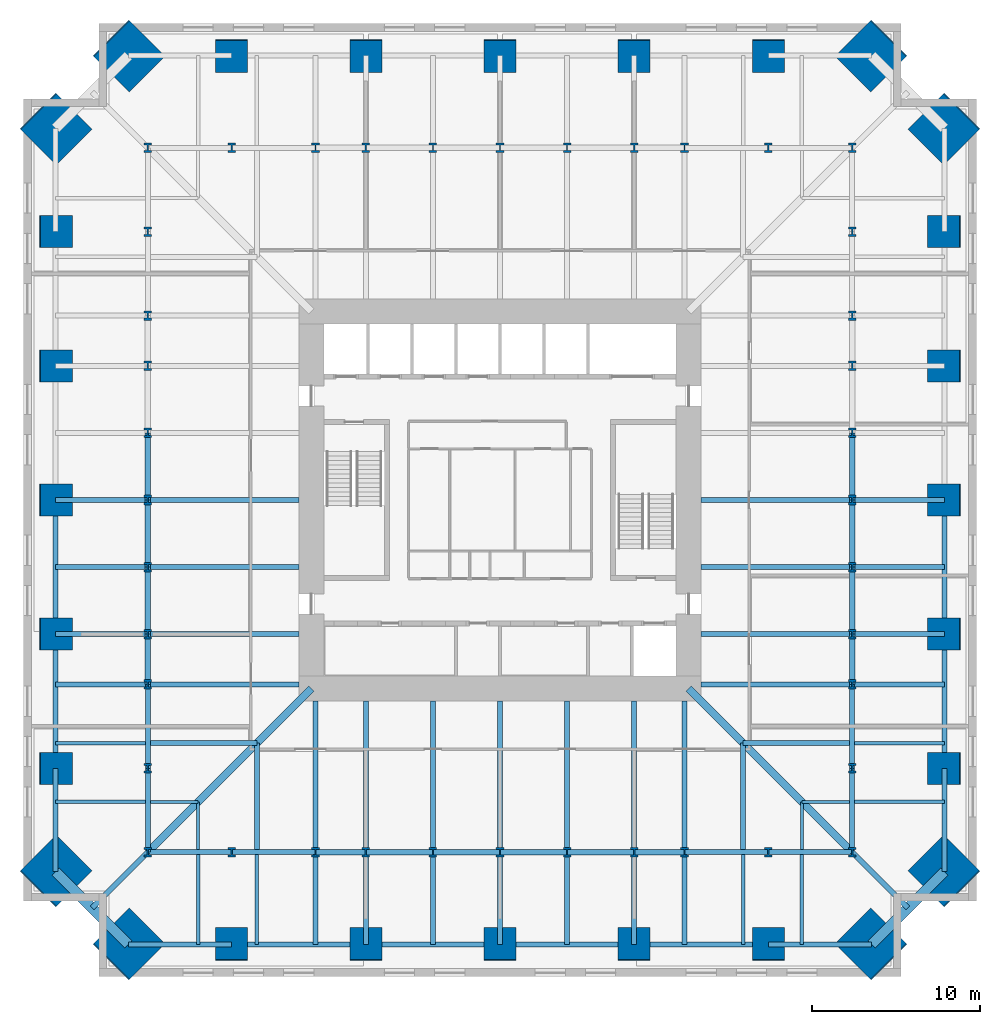
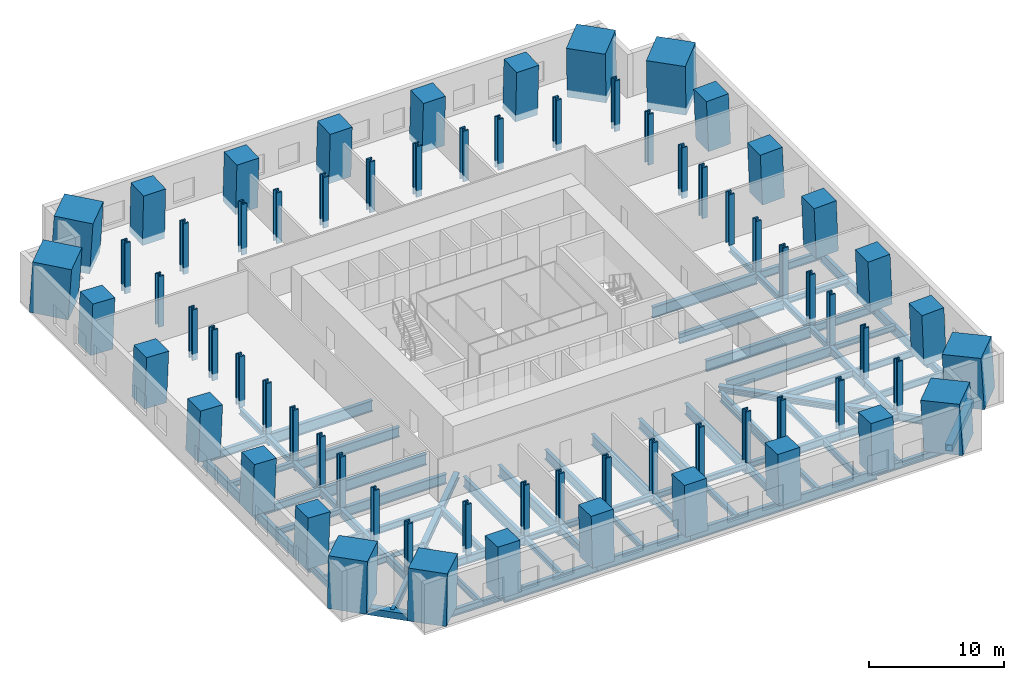
# One storey, part 1 of 8: 86 beams, 68 columns.
"""IFC4 building model written with IfcOpenShell, lengths in metres."""

from ifc_helpers import new_model, si_unit, direction, frame, origin, origin_2d, place, context, subcontext, project, spatial, rectangle, hollow_rectangle, i_section, extrude, material, material_profile, profile_set, type_object, element, save


model = new_model("IFC4")

# Units and contexts
model_context = context("Model", 3, precision=1e-05, world=origin(), true_north=direction((0.0, 1.0)))
body_context = subcontext(model_context, "Body", "Model", "MODEL_VIEW")
ifc_project = project(units=[si_unit("LENGTHUNIT", "METRE"), si_unit("AREAUNIT", "SQUARE_METRE"), si_unit("VOLUMEUNIT", "CUBIC_METRE"), si_unit("PLANEANGLEUNIT", "RADIAN"), si_unit("MASSUNIT", "GRAM", prefix="KILO")], contexts=[model_context])

# Site, building, storey
site_placement = place(None, origin())
site = spatial("IfcSite", under=ifc_project, at=site_placement, CompositionType="ELEMENT")
building_placement = place(site_placement, origin())
building = spatial("IfcBuilding", under=site, at=building_placement, Name="Peilmerk Tower", CompositionType="ELEMENT")
storey_placement = place(building_placement, frame((0.0, 0.0, 109.0)))
storey = spatial("IfcBuildingStorey", under=building, at=storey_placement, Name="L21", CompositionType="ELEMENT", Elevation=109.0)

# Columns
ifc_material_1 = material(Name="Concrete C90/105", Category="concrete")
ifc_material_profile_1 = material_profile(ifc_material_1, rectangle(XDim=3.0, YDim=3.0, at=origin_2d()), Name="RC 3000x3000")
ifc_profile_set_1 = profile_set([ifc_material_profile_1], Name="Concrete C90/105")
column_type_1 = type_object("IfcColumnType", Name="MC1 3000x3000 encased mega column", PredefinedType="COLUMN", material=ifc_profile_set_1)
for number, where, z_axis, x_axis, name in (
    (1, (22.151611328125, 26.501708984375, 0.0), (-0.040269957025, -0.040269957025, 0.998377013519), (0.707106781187, -0.707106781187, 0.0), "Mega column MC1 NE_N L21"),
    (2, (26.501708984375, 22.151611328125, 0.0), (-0.040269957025, -0.040269957025, 0.998377013519), (0.707106781187, -0.707106781187, 0.0), "Mega column MC1 NE_E L21"),
    (3, (26.501708984375, -22.151611328125, 0.0), (-0.040269957025, 0.040269957025, 0.998377013519), (-0.707106781187, -0.707106781187, 0.0), "Mega column MC1 SE_E L21"),
    (4, (22.151611328125, -26.501708984375, 0.0), (-0.040269957025, 0.040269957025, 0.998377013519), (-0.707106781187, -0.707106781187, 0.0), "Mega column MC1 SE_S L21"),
    (5, (-22.151611328125, -26.501708984375, 0.0), (0.040269957025, 0.040269957025, 0.998377013519), (-0.707106781187, 0.707106781187, 0.0), "Mega column MC1 SW_S L21"),
    (6, (-26.501708984375, -22.151611328125, 0.0), (0.040269957025, 0.040269957025, 0.998377013519), (-0.707106781187, 0.707106781187, 0.0), "Mega column MC1 SW_W L21"),
    (7, (-26.501708984375, 22.151611328125, 0.0), (0.040269957025, -0.040269957025, 0.998377013519), (0.707106781187, 0.707106781187, 0.0), "Mega column MC1 NW_W L21"),
    (8, (-22.151611328125, 26.501708984375, 0.0), (0.040269957025, -0.040269957025, 0.998377013519), (0.707106781187, 0.707106781187, 0.0), "Mega column MC1 NW_N L21"),
):
    element("IfcColumn", number, at=place(storey_placement, frame(where, z_axis=z_axis, x_axis=x_axis)), inside=storey, type_object=column_type_1, Name=name, PredefinedType="COLUMN", context=body_context, shape_type="SweptSolid", body=[
        extrude(rectangle(XDim=3.0, YDim=3.0, at=origin_2d()), origin(), (0.0, 0.0, 1.0), 4.607666015625),
    ])
ifc_material_profile_2 = material_profile(ifc_material_1, rectangle(XDim=1.89990234375, YDim=1.89990234375, at=origin_2d()), Name="RC 1900x1900")
ifc_profile_set_2 = profile_set([ifc_material_profile_2], Name="Concrete C90/105")
column_type_2 = type_object("IfcColumnType", Name="SC5 1900x1900 encased perimeter column", PredefinedType="COLUMN", material=ifc_profile_set_2)
for number, where, z_axis, x_axis, name in (
    (9, (0.0, 26.501708984375, 0.0), (0.0, -0.040302649072, 0.999187518176), (1.0, 0.0, 0.0), "Perimeter column N+0 L21"),
    (10, (8.0, 26.501708984375, 0.0), (0.0, -0.040302649072, 0.999187518176), (1.0, 0.0, 0.0), "Perimeter column N-8 L21"),
    (11, (-8.0, 26.501708984375, 0.0), (0.0, -0.040302649072, 0.999187518176), (1.0, 0.0, 0.0), "Perimeter column N+8 L21"),
    (12, (16.0, 26.501708984375, 0.0), (0.0, -0.040302649072, 0.999187518176), (1.0, 0.0, 0.0), "Perimeter column N-16 L21"),
    (13, (-16.0, 26.501708984375, 0.0), (0.0, -0.040302649072, 0.999187518176), (1.0, 0.0, 0.0), "Perimeter column N+16 L21"),
    (14, (26.501708984375, 0.0, 0.0), (-0.040302649072, 0.0, 0.999187518176), (0.0, -1.0, 0.0), "Perimeter column E+0 L21"),
    (15, (26.501708984375, -8.0, 0.0), (-0.040302649072, 0.0, 0.999187518176), (0.0, -1.0, 0.0), "Perimeter column E-8 L21"),
    (16, (26.501708984375, 8.0, 0.0), (-0.040302649072, 0.0, 0.999187518176), (0.0, -1.0, 0.0), "Perimeter column E+8 L21"),
    (17, (26.501708984375, -16.0, 0.0), (-0.040302649072, 0.0, 0.999187518176), (0.0, -1.0, 0.0), "Perimeter column E-16 L21"),
    (18, (26.501708984375, 16.0, 0.0), (-0.040302649072, 0.0, 0.999187518176), (0.0, -1.0, 0.0), "Perimeter column E+16 L21"),
    (19, (0.0, -26.501708984375, 0.0), (0.0, 0.040302649072, 0.999187518176), (-1.0, 0.0, 0.0), "Perimeter column S+0 L21"),
    (20, (-8.0, -26.501708984375, 0.0), (0.0, 0.040302649072, 0.999187518176), (-1.0, 0.0, 0.0), "Perimeter column S-8 L21"),
    (21, (8.0, -26.501708984375, 0.0), (0.0, 0.040302649072, 0.999187518176), (-1.0, 0.0, 0.0), "Perimeter column S+8 L21"),
    (22, (-16.0, -26.501708984375, 0.0), (0.0, 0.040302649072, 0.999187518176), (-1.0, 0.0, 0.0), "Perimeter column S-16 L21"),
    (23, (16.0, -26.501708984375, 0.0), (0.0, 0.040302649072, 0.999187518176), (-1.0, 0.0, 0.0), "Perimeter column S+16 L21"),
    (24, (-26.501708984375, 0.0, 0.0), (0.040302649072, 0.0, 0.999187518176), (0.0, 1.0, 0.0), "Perimeter column W+0 L21"),
    (25, (-26.501708984375, 8.0, 0.0), (0.040302649072, 0.0, 0.999187518176), (0.0, 1.0, 0.0), "Perimeter column W-8 L21"),
    (26, (-26.501708984375, -8.0, 0.0), (0.040302649072, 0.0, 0.999187518176), (0.0, 1.0, 0.0), "Perimeter column W+8 L21"),
    (27, (-26.501708984375, 16.0, 0.0), (0.040302649072, 0.0, 0.999187518176), (0.0, 1.0, 0.0), "Perimeter column W-16 L21"),
    (28, (-26.501708984375, -16.0, 0.0), (0.040302649072, 0.0, 0.999187518176), (0.0, 1.0, 0.0), "Perimeter column W+16 L21"),
):
    element("IfcColumn", number, at=place(storey_placement, frame(where, z_axis=z_axis, x_axis=x_axis)), inside=storey, type_object=column_type_2, Name=name, PredefinedType="COLUMN", context=body_context, shape_type="SweptSolid", body=[
        extrude(rectangle(XDim=1.89990234375, YDim=1.89990234375, at=origin_2d()), origin(), (0.0, 0.0, 1.0), 4.603759765625),
    ])
ifc_material_2 = material(Name="Steel S460", Category="steel")
ifc_material_profile_3 = material_profile(ifc_material_2, i_section(OverallWidth=0.4541015625, OverallDepth=0.569091796875, WebThickness=0.077880859375, FlangeThickness=0.125, at=origin_2d()), Name="HD 400x1086")
ifc_profile_set_3 = profile_set([ifc_material_profile_3], Name="Steel S460")
column_type_3 = type_object("IfcColumnType", Name="SC6 HD 400x1086 interior column", PredefinedType="COLUMN", material=ifc_profile_set_3)
for number, where, z_axis, x_axis, name in (
    (29, (0.0, 21.0, 0.0), (0.0, 0.0, 1.0), (1.0, 0.0, 0.0), "Interior column N+0 L21"),
    (30, (4.0, 21.0, 0.0), (0.0, 0.0, 1.0), (1.0, 0.0, 0.0), "Interior column N-4 L21"),
    (31, (-4.0, 21.0, 0.0), (0.0, 0.0, 1.0), (1.0, 0.0, 0.0), "Interior column N+4 L21"),
    (32, (8.0, 21.0, 0.0), (0.0, 0.0, 1.0), (1.0, 0.0, 0.0), "Interior column N-8 L21"),
    (33, (-8.0, 21.0, 0.0), (0.0, 0.0, 1.0), (1.0, 0.0, 0.0), "Interior column N+8 L21"),
    (34, (11.0, 21.0, 0.0), (0.0, 0.0, 1.0), (1.0, 0.0, 0.0), "Interior column N-11 L21"),
    (35, (-11.0, 21.0, 0.0), (0.0, 0.0, 1.0), (1.0, 0.0, 0.0), "Interior column N+11 L21"),
    (36, (16.0, 21.0, 0.0), (0.0, 0.0, 1.0), (1.0, 0.0, 0.0), "Interior column N-16 L21"),
    (37, (-16.0, 21.0, 0.0), (0.0, 0.0, 1.0), (1.0, 0.0, 0.0), "Interior column N+16 L21"),
    (38, (21.0, 0.0, 0.0), (0.0, 0.0, 1.0), (1.0, 0.0, 0.0), "Interior column E+0 L21"),
    (39, (21.0, -4.0, 0.0), (0.0, 0.0, 1.0), (1.0, 0.0, 0.0), "Interior column E-4 L21"),
    (40, (21.0, 4.0, 0.0), (0.0, 0.0, 1.0), (1.0, 0.0, 0.0), "Interior column E+4 L21"),
    (41, (21.0, -8.0, 0.0), (0.0, 0.0, 1.0), (1.0, 0.0, 0.0), "Interior column E-8 L21"),
    (42, (21.0, 8.0, 0.0), (0.0, 0.0, 1.0), (1.0, 0.0, 0.0), "Interior column E+8 L21"),
    (43, (21.0, -11.0, 0.0), (0.0, 0.0, 1.0), (1.0, 0.0, 0.0), "Interior column E-11 L21"),
    (44, (21.0, 11.0, 0.0), (0.0, 0.0, 1.0), (1.0, 0.0, 0.0), "Interior column E+11 L21"),
    (45, (21.0, -16.0, 0.0), (0.0, 0.0, 1.0), (1.0, 0.0, 0.0), "Interior column E-16 L21"),
    (46, (21.0, 16.0, 0.0), (0.0, 0.0, 1.0), (1.0, 0.0, 0.0), "Interior column E+16 L21"),
    (47, (0.0, -21.0, 0.0), (0.0, 0.0, 1.0), (1.0, 0.0, 0.0), "Interior column S+0 L21"),
    (48, (-4.0, -21.0, 0.0), (0.0, 0.0, 1.0), (1.0, 0.0, 0.0), "Interior column S-4 L21"),
    (49, (4.0, -21.0, 0.0), (0.0, 0.0, 1.0), (1.0, 0.0, 0.0), "Interior column S+4 L21"),
    (50, (-8.0, -21.0, 0.0), (0.0, 0.0, 1.0), (1.0, 0.0, 0.0), "Interior column S-8 L21"),
    (51, (8.0, -21.0, 0.0), (0.0, 0.0, 1.0), (1.0, 0.0, 0.0), "Interior column S+8 L21"),
    (52, (-11.0, -21.0, 0.0), (0.0, 0.0, 1.0), (1.0, 0.0, 0.0), "Interior column S-11 L21"),
    (53, (11.0, -21.0, 0.0), (0.0, 0.0, 1.0), (1.0, 0.0, 0.0), "Interior column S+11 L21"),
    (54, (-16.0, -21.0, 0.0), (0.0, 0.0, 1.0), (1.0, 0.0, 0.0), "Interior column S-16 L21"),
    (55, (16.0, -21.0, 0.0), (0.0, 0.0, 1.0), (1.0, 0.0, 0.0), "Interior column S+16 L21"),
    (56, (-21.0, 0.0, 0.0), (0.0, 0.0, 1.0), (1.0, 0.0, 0.0), "Interior column W+0 L21"),
    (57, (-21.0, 4.0, 0.0), (0.0, 0.0, 1.0), (1.0, 0.0, 0.0), "Interior column W-4 L21"),
    (58, (-21.0, -4.0, 0.0), (0.0, 0.0, 1.0), (1.0, 0.0, 0.0), "Interior column W+4 L21"),
    (59, (-21.0, 8.0, 0.0), (0.0, 0.0, 1.0), (1.0, 0.0, 0.0), "Interior column W-8 L21"),
    (60, (-21.0, -8.0, 0.0), (0.0, 0.0, 1.0), (1.0, 0.0, 0.0), "Interior column W+8 L21"),
    (61, (-21.0, 11.0, 0.0), (0.0, 0.0, 1.0), (1.0, 0.0, 0.0), "Interior column W-11 L21"),
    (62, (-21.0, -11.0, 0.0), (0.0, 0.0, 1.0), (1.0, 0.0, 0.0), "Interior column W+11 L21"),
    (63, (-21.0, 16.0, 0.0), (0.0, 0.0, 1.0), (1.0, 0.0, 0.0), "Interior column W-16 L21"),
    (64, (-21.0, -16.0, 0.0), (0.0, 0.0, 1.0), (1.0, 0.0, 0.0), "Interior column W+16 L21"),
    (65, (21.0, 21.0, 0.0), (0.0, 0.0, 1.0), (1.0, 0.0, 0.0), "Interior column NE L21"),
    (66, (21.0, -21.0, 0.0), (0.0, 0.0, 1.0), (1.0, 0.0, 0.0), "Interior column SE L21"),
    (67, (-21.0, -21.0, 0.0), (0.0, 0.0, 1.0), (1.0, 0.0, 0.0), "Interior column SW L21"),
    (68, (-21.0, 21.0, 0.0), (0.0, 0.0, 1.0), (1.0, 0.0, 0.0), "Interior column NW L21"),
):
    element("IfcColumn", number, at=place(storey_placement, frame(where, z_axis=z_axis, x_axis=x_axis)), inside=storey, type_object=column_type_3, Name=name, PredefinedType="COLUMN", context=body_context, shape_type="SweptSolid", body=[
        extrude(i_section(OverallWidth=0.4541015625, OverallDepth=0.569091796875, WebThickness=0.077880859375, FlangeThickness=0.125, at=origin_2d()), origin(), (0.0, 0.0, 1.0), 4.60009765625),
    ])

# Beams
ifc_material_3 = material(Name="Steel S355", Category="steel")
ifc_material_profile_4 = material_profile(ifc_material_3, i_section(OverallWidth=0.219970703125, OverallDepth=0.60009765625, WebThickness=0.011962890625, FlangeThickness=0.01904296875, at=origin_2d()), Name="IPE 600")
ifc_profile_set_4 = profile_set([ifc_material_profile_4], Name="Steel S355")
beam_type_1 = type_object("IfcBeamType", Name="B10 IPE 600 floor beam", PredefinedType="BEAM", material=ifc_profile_set_4)
for number, where, z_axis, x_axis, name in (
    (69, (14.5, -21.152099609375, -0.5), (0.0, -1.0, 0.0), (1.0, 0.0, 0.0), "Floor beam L21"),
    (70, (21.152099609375, -14.5, -0.5), (1.0, 0.0, 0.0), (0.0, 1.0, 0.0), "Floor beam L21"),
    (71, (18.0, -21.152099609375, -0.5), (0.0, -1.0, 0.0), (1.0, 0.0, 0.0), "Floor beam L21"),
    (72, (21.152099609375, -18.0, -0.5), (1.0, 0.0, 0.0), (0.0, 1.0, 0.0), "Floor beam L21"),
    (73, (-14.5, -21.152099609375, -0.5), (0.0, -1.0, 0.0), (1.0, 0.0, 0.0), "Floor beam L21"),
    (74, (-21.152099609375, -14.5, -0.5), (-1.0, 0.0, 0.0), (0.0, -1.0, 0.0), "Floor beam L21"),
    (75, (-18.0, -21.152099609375, -0.5), (0.0, -1.0, 0.0), (1.0, 0.0, 0.0), "Floor beam L21"),
    (76, (-21.152099609375, -18.0, -0.5), (-1.0, 0.0, 0.0), (0.0, -1.0, 0.0), "Floor beam L21"),
):
    element("IfcBeam", number, at=place(storey_placement, frame(where, z_axis=z_axis, x_axis=x_axis)), inside=storey, type_object=beam_type_1, Name=name, PredefinedType="BEAM", context=body_context, shape_type="SweptSolid", body=[
        extrude(i_section(OverallWidth=0.219970703125, OverallDepth=0.60009765625, WebThickness=0.011962890625, FlangeThickness=0.01904296875, at=origin_2d()), origin(), (0.0, 0.0, 1.0), 5.349609375),
    ])
ifc_material_profile_5 = material_profile(ifc_material_3, i_section(OverallWidth=0.300048828125, OverallDepth=0.68994140625, WebThickness=0.014404296875, FlangeThickness=0.027099609375, at=origin_2d()), Name="HEA 700")
ifc_profile_set_5 = profile_set([ifc_material_profile_5], Name="Steel S355")
beam_type_2 = type_object("IfcBeamType", Name="B16 HEA 700 floor beam", PredefinedType="BEAM", material=ifc_profile_set_5)
for number, where, z_axis, x_axis, name in (
    (77, (21.0, -8.0, -0.544921875), (1.0, 0.0, 0.0), (0.0, 1.0, 0.0), "Floor girder L21"),
    (78, (21.0, 0.0, -0.544921875), (1.0, 0.0, 0.0), (0.0, 1.0, 0.0), "Floor girder L21"),
    (79, (-8.0, -21.0, -0.544921875), (0.0, -1.0, 0.0), (1.0, 0.0, 0.0), "Floor girder L21"),
    (80, (0.0, -21.0, -0.544921875), (0.0, -1.0, 0.0), (1.0, 0.0, 0.0), "Floor girder L21"),
    (81, (8.0, -21.0, -0.544921875), (0.0, -1.0, 0.0), (1.0, 0.0, 0.0), "Floor girder L21"),
    (82, (-21.0, 0.0, -0.544921875), (-1.0, 0.0, 0.0), (0.0, -1.0, 0.0), "Floor girder L21"),
    (83, (-21.0, -8.0, -0.544921875), (-1.0, 0.0, 0.0), (0.0, -1.0, 0.0), "Floor girder L21"),
):
    element("IfcBeam", number, at=place(storey_placement, frame(where, z_axis=z_axis, x_axis=x_axis)), inside=storey, type_object=beam_type_2, Name=name, PredefinedType="BEAM", context=body_context, shape_type="SweptSolid", body=[
        extrude(i_section(OverallWidth=0.300048828125, OverallDepth=0.68994140625, WebThickness=0.014404296875, FlangeThickness=0.027099609375, at=origin_2d()), origin(), (0.0, 0.0, 1.0), 5.501708984375),
    ])
for number, where, z_axis, x_axis, name in (
    (84, (21.0, -21.0, -0.544921875), (0.707106781187, -0.707106781187, 0.0), (0.707106781187, 0.707106781187, 0.0), "Corner girder L21"),
    (85, (-21.0, -21.0, -0.544921875), (-0.707106781187, -0.707106781187, 0.0), (0.707106781187, -0.707106781187, 0.0), "Corner girder L21"),
):
    element("IfcBeam", number, at=place(storey_placement, frame(where, z_axis=z_axis, x_axis=x_axis)), inside=storey, type_object=beam_type_2, Name=name, PredefinedType="BEAM", context=body_context, shape_type="SweptSolid", body=[
        extrude(i_section(OverallWidth=0.300048828125, OverallDepth=0.68994140625, WebThickness=0.014404296875, FlangeThickness=0.027099609375, at=origin_2d()), origin(), (0.0, 0.0, 1.0), 4.70458984375),
    ])
ifc_material_profile_6 = material_profile(ifc_material_3, i_section(OverallWidth=0.303955078125, OverallDepth=0.716064453125, WebThickness=0.02099609375, FlangeThickness=0.0400390625, at=origin_2d()), Name="HEM 700")
ifc_profile_set_6 = profile_set([ifc_material_profile_6], Name="Steel S355")
beam_type_3 = type_object("IfcBeamType", Name="B19 HEM 700 ring girder", PredefinedType="BEAM", material=ifc_profile_set_6)
for number, where, z_axis, x_axis, name in (
    (86, (21.0, -21.0, -0.55810546875), (0.0, 1.0, 0.0), (-1.0, 0.0, 0.0), "Ring girder L21"),
    (87, (21.0, -16.0, -0.55810546875), (0.0, 1.0, 0.0), (-1.0, 0.0, 0.0), "Ring girder L21"),
    (88, (-21.0, -21.0, -0.55810546875), (1.0, 0.0, 0.0), (0.0, 1.0, 0.0), "Ring girder L21"),
    (89, (-16.0, -21.0, -0.55810546875), (1.0, 0.0, 0.0), (0.0, 1.0, 0.0), "Ring girder L21"),
    (90, (11.0, -21.0, -0.55810546875), (1.0, 0.0, 0.0), (0.0, 1.0, 0.0), "Ring girder L21"),
    (91, (16.0, -21.0, -0.55810546875), (1.0, 0.0, 0.0), (0.0, 1.0, 0.0), "Ring girder L21"),
    (92, (-21.0, -11.0, -0.55810546875), (0.0, -1.0, 0.0), (1.0, 0.0, 0.0), "Ring girder L21"),
    (93, (-21.0, -16.0, -0.55810546875), (0.0, -1.0, 0.0), (1.0, 0.0, 0.0), "Ring girder L21"),
):
    element("IfcBeam", number, at=place(storey_placement, frame(where, z_axis=z_axis, x_axis=x_axis)), inside=storey, type_object=beam_type_3, Name=name, PredefinedType="BEAM", context=body_context, shape_type="SweptSolid", body=[
        extrude(i_section(OverallWidth=0.303955078125, OverallDepth=0.716064453125, WebThickness=0.02099609375, FlangeThickness=0.0400390625, at=origin_2d()), origin(), (0.0, 0.0, 1.0), 5.0),
    ])
ifc_material_profile_7 = material_profile(ifc_material_3, i_section(OverallWidth=0.302001953125, OverallDepth=0.909912109375, WebThickness=0.02099609375, FlangeThickness=0.0400390625, at=origin_2d()), Name="HEM 900")
ifc_profile_set_7 = profile_set([ifc_material_profile_7], Name="Steel S355")
beam_type_4 = type_object("IfcBeamType", Name="B2 HEM 900 edge beam", PredefinedType="SPANDREL", material=ifc_profile_set_7)
for number, where, z_axis, x_axis, name in (
    (94, (26.501708984375, -16.0, -0.655029296875), (0.0, 1.0, 0.0), (-1.0, 0.0, 0.0), "Edge beam L21"),
    (95, (26.501708984375, -8.0, -0.655029296875), (0.0, 1.0, 0.0), (-1.0, 0.0, 0.0), "Edge beam L21"),
    (96, (-16.0, -26.501708984375, -0.655029296875), (1.0, 0.0, 0.0), (0.0, 1.0, 0.0), "Edge beam L21"),
    (97, (-8.0, -26.501708984375, -0.655029296875), (1.0, 0.0, 0.0), (0.0, 1.0, 0.0), "Edge beam L21"),
    (98, (0.0, -26.501708984375, -0.655029296875), (1.0, 0.0, 0.0), (0.0, 1.0, 0.0), "Edge beam L21"),
    (99, (8.0, -26.501708984375, -0.655029296875), (1.0, 0.0, 0.0), (0.0, 1.0, 0.0), "Edge beam L21"),
    (100, (-26.501708984375, 0.0, -0.655029296875), (0.0, -1.0, 0.0), (1.0, 0.0, 0.0), "Edge beam L21"),
    (101, (-26.501708984375, -8.0, -0.655029296875), (0.0, -1.0, 0.0), (1.0, 0.0, 0.0), "Edge beam L21"),
):
    element("IfcBeam", number, at=place(storey_placement, frame(where, z_axis=z_axis, x_axis=x_axis)), inside=storey, type_object=beam_type_4, Name=name, PredefinedType="SPANDREL", context=body_context, shape_type="SweptSolid", body=[
        extrude(i_section(OverallWidth=0.302001953125, OverallDepth=0.909912109375, WebThickness=0.02099609375, FlangeThickness=0.0400390625, at=origin_2d()), origin(), (0.0, 0.0, 1.0), 8.0),
    ])
ifc_material_profile_8 = material_profile(ifc_material_2, hollow_rectangle(XDim=0.60009765625, YDim=0.60009765625, WallThickness=0.06005859375, at=origin_2d()), Name="BOX 600x600x60")
ifc_profile_set_8 = profile_set([ifc_material_profile_8], Name="Steel S460")
beam_type_5 = type_object("IfcBeamType", Name="B20 BOX 600x600x60 notch beam", PredefinedType="SPANDREL", material=ifc_profile_set_8)
for number, where, z_axis, x_axis, name in (
    (102, (26.501708984375, -22.151611328125, -0.5), (-0.707106781187, -0.707106781187, 0.0), (0.707106781187, -0.707106781187, 0.0), "Notch beam L21"),
    (103, (-22.151611328125, -26.501708984375, -0.5), (-0.707106781187, 0.707106781187, 0.0), (-0.707106781187, -0.707106781187, 0.0), "Notch beam L21"),
):
    element("IfcBeam", number, at=place(storey_placement, frame(where, z_axis=z_axis, x_axis=x_axis)), inside=storey, type_object=beam_type_5, Name=name, PredefinedType="SPANDREL", context=body_context, shape_type="SweptSolid", body=[
        extrude(hollow_rectangle(XDim=0.60009765625, YDim=0.60009765625, WallThickness=0.06005859375, at=origin_2d()), origin(), (0.0, 0.0, 1.0), 6.15185546875),
    ])
ifc_material_profile_9 = material_profile(ifc_material_3, i_section(OverallWidth=0.302001953125, OverallDepth=1.008056640625, WebThickness=0.02099609375, FlangeThickness=0.0400390625, at=origin_2d()), Name="HEM 1000")
ifc_profile_set_9 = profile_set([ifc_material_profile_9], Name="Steel S355")
beam_type_6 = type_object("IfcBeamType", Name="B24 HEM 1000 floor girder", PredefinedType="BEAM", material=ifc_profile_set_9)
for number, where, z_axis, x_axis, name in (
    (104, (12.0, -8.0, -0.7041015625), (1.0, 0.0, 0.0), (0.0, 1.0, 0.0), "Floor girder L21"),
    (105, (12.0, 0.0, -0.7041015625), (1.0, 0.0, 0.0), (0.0, 1.0, 0.0), "Floor girder L21"),
    (106, (-8.0, -12.0, -0.7041015625), (0.0, -1.0, 0.0), (1.0, 0.0, 0.0), "Floor girder L21"),
    (107, (0.0, -12.0, -0.7041015625), (0.0, -1.0, 0.0), (1.0, 0.0, 0.0), "Floor girder L21"),
    (108, (8.0, -12.0, -0.7041015625), (0.0, -1.0, 0.0), (1.0, 0.0, 0.0), "Floor girder L21"),
    (109, (-12.0, 0.0, -0.7041015625), (-1.0, 0.0, 0.0), (0.0, -1.0, 0.0), "Floor girder L21"),
    (110, (-12.0, -8.0, -0.7041015625), (-1.0, 0.0, 0.0), (0.0, -1.0, 0.0), "Floor girder L21"),
):
    element("IfcBeam", number, at=place(storey_placement, frame(where, z_axis=z_axis, x_axis=x_axis)), inside=storey, type_object=beam_type_6, Name=name, PredefinedType="BEAM", context=body_context, shape_type="SweptSolid", body=[
        extrude(i_section(OverallWidth=0.302001953125, OverallDepth=1.008056640625, WebThickness=0.02099609375, FlangeThickness=0.0400390625, at=origin_2d()), origin(), (0.0, 0.0, 1.0), 9.0),
    ])
ifc_material_profile_10 = material_profile(ifc_material_3, i_section(OverallWidth=0.300048828125, OverallDepth=0.590087890625, WebThickness=0.012939453125, FlangeThickness=0.02490234375, at=origin_2d()), Name="HEA 600")
ifc_profile_set_10 = profile_set([ifc_material_profile_10], Name="Steel S355")
beam_type_7 = type_object("IfcBeamType", Name="B27 HEA 600 floor beam", PredefinedType="BEAM", material=ifc_profile_set_10)
for number, where, z_axis, x_axis, name in (
    (111, (14.5, -14.5, -0.4951171875), (0.0, -1.0, 0.0), (1.0, 0.0, 0.0), "Floor beam L21"),
    (112, (14.5, -14.5, -0.4951171875), (1.0, 0.0, 0.0), (0.0, 1.0, 0.0), "Floor beam L21"),
    (113, (-14.5, -14.5, -0.4951171875), (0.0, -1.0, 0.0), (1.0, 0.0, 0.0), "Floor beam L21"),
    (114, (-14.5, -14.5, -0.4951171875), (-1.0, 0.0, 0.0), (0.0, -1.0, 0.0), "Floor beam L21"),
):
    element("IfcBeam", number, at=place(storey_placement, frame(where, z_axis=z_axis, x_axis=x_axis)), inside=storey, type_object=beam_type_7, Name=name, PredefinedType="BEAM", context=body_context, shape_type="SweptSolid", body=[
        extrude(i_section(OverallWidth=0.300048828125, OverallDepth=0.590087890625, WebThickness=0.012939453125, FlangeThickness=0.02490234375, at=origin_2d()), origin(), (0.0, 0.0, 1.0), 6.347900390625),
    ])
ifc_material_profile_11 = material_profile(ifc_material_3, i_section(OverallWidth=0.179931640625, OverallDepth=0.39990234375, WebThickness=0.008544921875, FlangeThickness=0.013427734375, at=origin_2d()), Name="IPE 400")
ifc_profile_set_11 = profile_set([ifc_material_profile_11], Name="Steel S355")
beam_type_8 = type_object("IfcBeamType", Name="B28 IPE 400 floor beam", PredefinedType="BEAM", material=ifc_profile_set_11)
for number, where, z_axis, x_axis, name in (
    (115, (18.0, -18.0, -0.39990234375), (0.0, -1.0, 0.0), (1.0, 0.0, 0.0), "Floor beam L21"),
    (116, (18.0, -18.0, -0.39990234375), (1.0, 0.0, 0.0), (0.0, 1.0, 0.0), "Floor beam L21"),
    (117, (-18.0, -18.0, -0.39990234375), (0.0, -1.0, 0.0), (1.0, 0.0, 0.0), "Floor beam L21"),
    (118, (-18.0, -18.0, -0.39990234375), (-1.0, 0.0, 0.0), (0.0, -1.0, 0.0), "Floor beam L21"),
):
    element("IfcBeam", number, at=place(storey_placement, frame(where, z_axis=z_axis, x_axis=x_axis)), inside=storey, type_object=beam_type_8, Name=name, PredefinedType="BEAM", context=body_context, shape_type="SweptSolid", body=[
        extrude(i_section(OverallWidth=0.179931640625, OverallDepth=0.39990234375, WebThickness=0.008544921875, FlangeThickness=0.013427734375, at=origin_2d()), origin(), (0.0, 0.0, 1.0), 2.847900390625),
    ])
ifc_material_profile_12 = material_profile(ifc_material_3, i_section(OverallWidth=0.300048828125, OverallDepth=0.489990234375, WebThickness=0.011962890625, FlangeThickness=0.02294921875, at=origin_2d()), Name="HEA 500")
ifc_profile_set_12 = profile_set([ifc_material_profile_12], Name="Steel S355")
beam_type_9 = type_object("IfcBeamType", Name="B29 HEA 500 floor beam", PredefinedType="BEAM", material=ifc_profile_set_12)
for number, where, z_axis, x_axis, name in (
    (119, (21.0, -11.0, -0.445068359375), (1.0, 0.0, 0.0), (0.0, 1.0, 0.0), "Floor beam L21"),
    (120, (21.0, -4.0, -0.445068359375), (1.0, 0.0, 0.0), (0.0, 1.0, 0.0), "Floor beam L21"),
    (121, (-11.0, -21.0, -0.445068359375), (0.0, -1.0, 0.0), (1.0, 0.0, 0.0), "Floor beam L21"),
    (122, (-4.0, -21.0, -0.445068359375), (0.0, -1.0, 0.0), (1.0, 0.0, 0.0), "Floor beam L21"),
    (123, (4.0, -21.0, -0.445068359375), (0.0, -1.0, 0.0), (1.0, 0.0, 0.0), "Floor beam L21"),
    (124, (11.0, -21.0, -0.445068359375), (0.0, -1.0, 0.0), (1.0, 0.0, 0.0), "Floor beam L21"),
    (125, (-21.0, -4.0, -0.445068359375), (-1.0, 0.0, 0.0), (0.0, -1.0, 0.0), "Floor beam L21"),
    (126, (-21.0, -11.0, -0.445068359375), (-1.0, 0.0, 0.0), (0.0, -1.0, 0.0), "Floor beam L21"),
):
    element("IfcBeam", number, at=place(storey_placement, frame(where, z_axis=z_axis, x_axis=x_axis)), inside=storey, type_object=beam_type_9, Name=name, PredefinedType="BEAM", context=body_context, shape_type="SweptSolid", body=[
        extrude(i_section(OverallWidth=0.300048828125, OverallDepth=0.489990234375, WebThickness=0.011962890625, FlangeThickness=0.02294921875, at=origin_2d()), origin(), (0.0, 0.0, 1.0), 5.501708984375),
    ])
ifc_material_profile_13 = material_profile(ifc_material_3, i_section(OverallWidth=0.304931640625, OverallDepth=0.6201171875, WebThickness=0.02099609375, FlangeThickness=0.0400390625, at=origin_2d()), Name="HEM 600")
ifc_profile_set_13 = profile_set([ifc_material_profile_13], Name="Steel S355")
beam_type_10 = type_object("IfcBeamType", Name="B31 HEM 600 edge beam", PredefinedType="SPANDREL", material=ifc_profile_set_13)
for number, where, z_axis, x_axis, name in (
    (127, (26.501708984375, -22.151611328125, -0.510009765625), (0.0, 1.0, 0.0), (-1.0, 0.0, 0.0), "Edge beam L21"),
    (128, (-22.151611328125, -26.501708984375, -0.510009765625), (1.0, 0.0, 0.0), (0.0, 1.0, 0.0), "Edge beam L21"),
    (129, (16.0, -26.501708984375, -0.510009765625), (1.0, 0.0, 0.0), (0.0, 1.0, 0.0), "Edge beam L21"),
    (130, (-26.501708984375, -16.0, -0.510009765625), (0.0, -1.0, 0.0), (1.0, 0.0, 0.0), "Edge beam L21"),
):
    element("IfcBeam", number, at=place(storey_placement, frame(where, z_axis=z_axis, x_axis=x_axis)), inside=storey, type_object=beam_type_10, Name=name, PredefinedType="SPANDREL", context=body_context, shape_type="SweptSolid", body=[
        extrude(i_section(OverallWidth=0.304931640625, OverallDepth=0.6201171875, WebThickness=0.02099609375, FlangeThickness=0.0400390625, at=origin_2d()), origin(), (0.0, 0.0, 1.0), 6.151611328125),
    ])
ifc_material_profile_14 = material_profile(ifc_material_3, i_section(OverallWidth=0.300048828125, OverallDepth=0.889892578125, WebThickness=0.01611328125, FlangeThickness=0.030029296875, at=origin_2d()), Name="HEA 900")
ifc_profile_set_14 = profile_set([ifc_material_profile_14], Name="Steel S355")
beam_type_11 = type_object("IfcBeamType", Name="B4 HEA 900 floor beam", PredefinedType="BEAM", material=ifc_profile_set_14)
for number, where, z_axis, x_axis, name in (
    (131, (12.0, -11.0, -0.64501953125), (1.0, 0.0, 0.0), (0.0, 1.0, 0.0), "Floor beam L21"),
    (132, (12.0, -4.0, -0.64501953125), (1.0, 0.0, 0.0), (0.0, 1.0, 0.0), "Floor beam L21"),
    (133, (-11.0, -12.0, -0.64501953125), (0.0, -1.0, 0.0), (1.0, 0.0, 0.0), "Floor beam L21"),
    (134, (-4.0, -12.0, -0.64501953125), (0.0, -1.0, 0.0), (1.0, 0.0, 0.0), "Floor beam L21"),
    (135, (4.0, -12.0, -0.64501953125), (0.0, -1.0, 0.0), (1.0, 0.0, 0.0), "Floor beam L21"),
    (136, (11.0, -12.0, -0.64501953125), (0.0, -1.0, 0.0), (1.0, 0.0, 0.0), "Floor beam L21"),
    (137, (-12.0, -4.0, -0.64501953125), (-1.0, 0.0, 0.0), (0.0, -1.0, 0.0), "Floor beam L21"),
    (138, (-12.0, -11.0, -0.64501953125), (-1.0, 0.0, 0.0), (0.0, -1.0, 0.0), "Floor beam L21"),
):
    element("IfcBeam", number, at=place(storey_placement, frame(where, z_axis=z_axis, x_axis=x_axis)), inside=storey, type_object=beam_type_11, Name=name, PredefinedType="BEAM", context=body_context, shape_type="SweptSolid", body=[
        extrude(i_section(OverallWidth=0.300048828125, OverallDepth=0.889892578125, WebThickness=0.01611328125, FlangeThickness=0.030029296875, at=origin_2d()), origin(), (0.0, 0.0, 1.0), 9.0),
    ])
ifc_material_profile_15 = material_profile(ifc_material_3, i_section(OverallWidth=0.305908203125, OverallDepth=0.52392578125, WebThickness=0.02099609375, FlangeThickness=0.0400390625, at=origin_2d()), Name="HEM 500")
ifc_profile_set_15 = profile_set([ifc_material_profile_15], Name="Steel S355")
beam_type_12 = type_object("IfcBeamType", Name="B7 HEM 500 ring girder", PredefinedType="BEAM", material=ifc_profile_set_15)
beam_1_placement = place(storey_placement, frame((21.0, -11.0, -0.4619140625), z_axis=(0.0, 1.0, 0.0), x_axis=(-1.0, 0.0, 0.0)))
element("IfcBeam", 139, at=beam_1_placement, inside=storey, type_object=beam_type_12, Name="Ring girder L21", PredefinedType="BEAM", context=body_context, shape_type="SweptSolid", body=[
    extrude(i_section(OverallWidth=0.305908203125, OverallDepth=0.52392578125, WebThickness=0.02099609375, FlangeThickness=0.0400390625, at=origin_2d()), origin(), (0.0, 0.0, 1.0), 3.0),
])
for number, where, z_axis, x_axis, name in (
    (140, (21.0, -8.0, -0.4619140625), (0.0, 1.0, 0.0), (-1.0, 0.0, 0.0), "Ring girder L21"),
    (141, (21.0, -4.0, -0.4619140625), (0.0, 1.0, 0.0), (-1.0, 0.0, 0.0), "Ring girder L21"),
    (142, (21.0, 0.0, -0.4619140625), (0.0, 1.0, 0.0), (-1.0, 0.0, 0.0), "Ring girder L21"),
):
    element("IfcBeam", number, at=place(storey_placement, frame(where, z_axis=z_axis, x_axis=x_axis)), inside=storey, type_object=beam_type_12, Name=name, PredefinedType="BEAM", context=body_context, shape_type="SweptSolid", body=[
        extrude(i_section(OverallWidth=0.305908203125, OverallDepth=0.52392578125, WebThickness=0.02099609375, FlangeThickness=0.0400390625, at=origin_2d()), origin(), (0.0, 0.0, 1.0), 4.0),
    ])
beam_2_placement = place(storey_placement, frame((-11.0, -21.0, -0.4619140625), z_axis=(1.0, 0.0, 0.0), x_axis=(0.0, 1.0, 0.0)))
element("IfcBeam", 143, at=beam_2_placement, inside=storey, type_object=beam_type_12, Name="Ring girder L21", PredefinedType="BEAM", context=body_context, shape_type="SweptSolid", body=[
    extrude(i_section(OverallWidth=0.305908203125, OverallDepth=0.52392578125, WebThickness=0.02099609375, FlangeThickness=0.0400390625, at=origin_2d()), origin(), (0.0, 0.0, 1.0), 3.0),
])
for number, where, z_axis, x_axis, name in (
    (144, (-8.0, -21.0, -0.4619140625), (1.0, 0.0, 0.0), (0.0, 1.0, 0.0), "Ring girder L21"),
    (145, (-4.0, -21.0, -0.4619140625), (1.0, 0.0, 0.0), (0.0, 1.0, 0.0), "Ring girder L21"),
    (146, (0.0, -21.0, -0.4619140625), (1.0, 0.0, 0.0), (0.0, 1.0, 0.0), "Ring girder L21"),
    (147, (4.0, -21.0, -0.4619140625), (1.0, 0.0, 0.0), (0.0, 1.0, 0.0), "Ring girder L21"),
):
    element("IfcBeam", number, at=place(storey_placement, frame(where, z_axis=z_axis, x_axis=x_axis)), inside=storey, type_object=beam_type_12, Name=name, PredefinedType="BEAM", context=body_context, shape_type="SweptSolid", body=[
        extrude(i_section(OverallWidth=0.305908203125, OverallDepth=0.52392578125, WebThickness=0.02099609375, FlangeThickness=0.0400390625, at=origin_2d()), origin(), (0.0, 0.0, 1.0), 4.0),
    ])
beam_3_placement = place(storey_placement, frame((8.0, -21.0, -0.4619140625), z_axis=(1.0, 0.0, 0.0), x_axis=(0.0, 1.0, 0.0)))
element("IfcBeam", 148, at=beam_3_placement, inside=storey, type_object=beam_type_12, Name="Ring girder L21", PredefinedType="BEAM", context=body_context, shape_type="SweptSolid", body=[
    extrude(i_section(OverallWidth=0.305908203125, OverallDepth=0.52392578125, WebThickness=0.02099609375, FlangeThickness=0.0400390625, at=origin_2d()), origin(), (0.0, 0.0, 1.0), 3.0),
])
for number, where, z_axis, x_axis, name in (
    (149, (-21.0, 4.0, -0.4619140625), (0.0, -1.0, 0.0), (1.0, 0.0, 0.0), "Ring girder L21"),
    (150, (-21.0, 0.0, -0.4619140625), (0.0, -1.0, 0.0), (1.0, 0.0, 0.0), "Ring girder L21"),
    (151, (-21.0, -4.0, -0.4619140625), (0.0, -1.0, 0.0), (1.0, 0.0, 0.0), "Ring girder L21"),
):
    element("IfcBeam", number, at=place(storey_placement, frame(where, z_axis=z_axis, x_axis=x_axis)), inside=storey, type_object=beam_type_12, Name=name, PredefinedType="BEAM", context=body_context, shape_type="SweptSolid", body=[
        extrude(i_section(OverallWidth=0.305908203125, OverallDepth=0.52392578125, WebThickness=0.02099609375, FlangeThickness=0.0400390625, at=origin_2d()), origin(), (0.0, 0.0, 1.0), 4.0),
    ])
beam_4_placement = place(storey_placement, frame((-21.0, -8.0, -0.4619140625), z_axis=(0.0, -1.0, 0.0), x_axis=(1.0, 0.0, 0.0)))
element("IfcBeam", 152, at=beam_4_placement, inside=storey, type_object=beam_type_12, Name="Ring girder L21", PredefinedType="BEAM", context=body_context, shape_type="SweptSolid", body=[
    extrude(i_section(OverallWidth=0.305908203125, OverallDepth=0.52392578125, WebThickness=0.02099609375, FlangeThickness=0.0400390625, at=origin_2d()), origin(), (0.0, 0.0, 1.0), 3.0),
])
ifc_material_profile_16 = material_profile(ifc_material_2, i_section(OverallWidth=0.4541015625, OverallDepth=0.569091796875, WebThickness=0.077880859375, FlangeThickness=0.125, at=origin_2d()), Name="HD 400x1086")
ifc_profile_set_16 = profile_set([ifc_material_profile_16], Name="Steel S460")
beam_type_13 = type_object("IfcBeamType", Name="B9 HD 400x1086 corner girder", PredefinedType="BEAM", material=ifc_profile_set_16)
for number, where, z_axis, x_axis, name in (
    (153, (11.25, -11.25, -0.484619140625), (0.707106781187, -0.707106781187, 0.0), (0.707106781187, 0.707106781187, 0.0), "Corner girder L21"),
    (154, (-11.25, -11.25, -0.484619140625), (-0.707106781187, -0.707106781187, 0.0), (0.707106781187, -0.707106781187, 0.0), "Corner girder L21"),
):
    element("IfcBeam", number, at=place(storey_placement, frame(where, z_axis=z_axis, x_axis=x_axis)), inside=storey, type_object=beam_type_13, Name=name, PredefinedType="BEAM", context=body_context, shape_type="SweptSolid", body=[
        extrude(i_section(OverallWidth=0.4541015625, OverallDepth=0.569091796875, WebThickness=0.077880859375, FlangeThickness=0.125, at=origin_2d()), origin(), (0.0, 0.0, 1.0), 13.78857421875),
    ])

save(model, "model.ifc")
